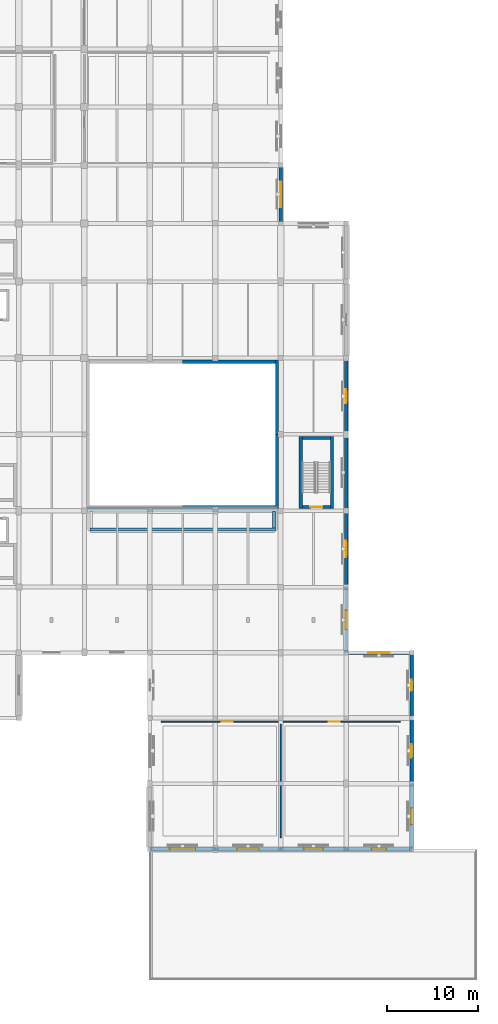
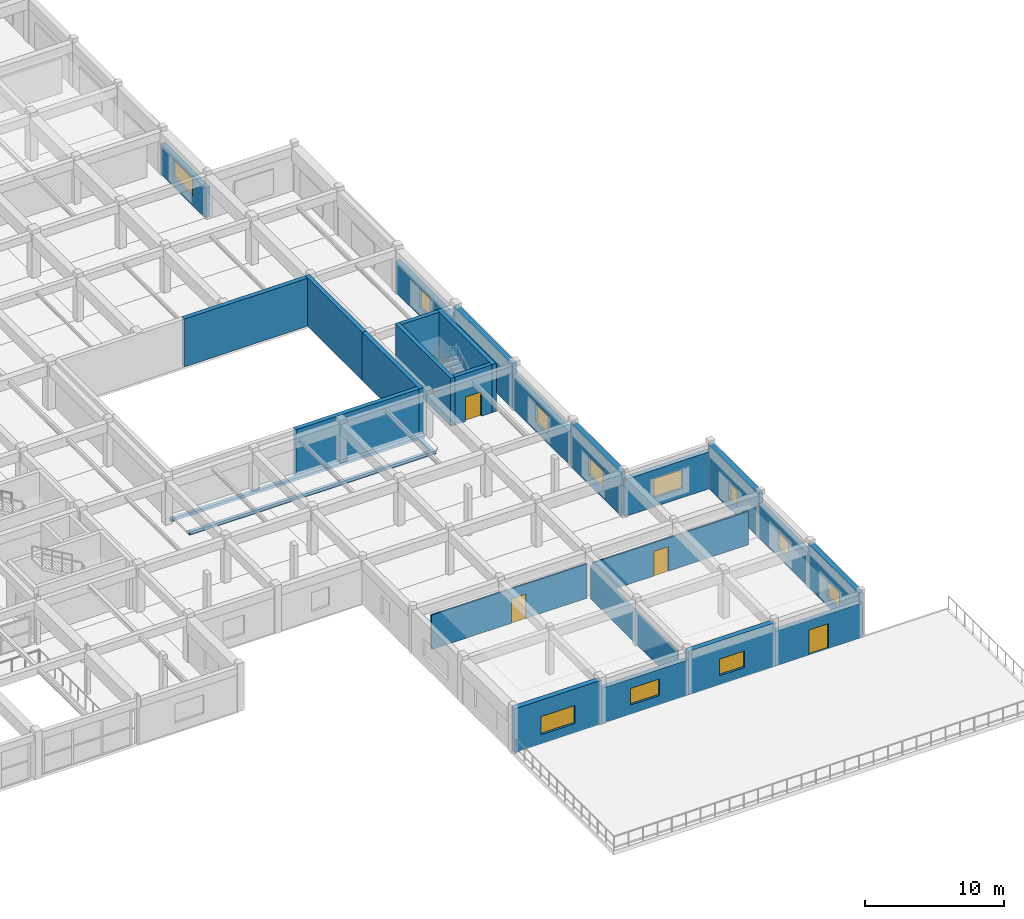
# One storey, part 53 of 71: 27 walls, 11 windows, 4 doors, 15 openings.
"""IFC4 building model written with IfcOpenShell, lengths in metres."""

from ifc_helpers import new_model, si_unit, direction, frame, frame_2d, origin, place, context, subcontext, project, spatial, rectangle, extrude, material, layer, layer_set, type_object, element, fill, save


model = new_model("IFC4")

# Units and contexts
model_context = context("Model", 3, precision=1e-05, world=origin(), true_north=direction((0.0, 1.0)))
body_context = subcontext(model_context, "Body", "Model", "MODEL_VIEW")
ifc_project = project(units=[si_unit("LENGTHUNIT", "METRE"), si_unit("AREAUNIT", "SQUARE_METRE"), si_unit("VOLUMEUNIT", "CUBIC_METRE"), si_unit("PLANEANGLEUNIT", "RADIAN"), si_unit("MASSUNIT", "GRAM", prefix="KILO")], contexts=[model_context])

# Site, building, storey
site_placement = place(None, origin())
site = spatial("IfcSite", under=ifc_project, at=site_placement, CompositionType="ELEMENT")
building_placement = place(site_placement, origin())
building = spatial("IfcBuilding", under=site, at=building_placement, Name="Korsvaeld Concert Hall", CompositionType="ELEMENT")
storey_placement = place(building_placement, frame((0.0, 0.0, 4.800048828125)))
storey = spatial("IfcBuildingStorey", under=building, at=storey_placement, Name="L01", CompositionType="ELEMENT", Elevation=4.800048828125)

# Wall, opening, door
ifc_material_1 = material(Name="Concrete C40/50", Category="concrete")
ifc_layer_1 = layer(ifc_material_1, 0.340087890625)
ifc_layer_set_1 = layer_set([ifc_layer_1], Name="Concrete C40/50")
wall_type_1 = type_object("IfcWallType", Name="WL-CORE-340", PredefinedType="SHEAR", material=ifc_layer_set_1)
wall_1_placement = place(storey_placement, frame((148.77001953125, 52.0, 0.0), z_axis=(0.0, 0.0, 1.0), x_axis=(1.0, 0.0, 0.0)))
wall_1 = element("IfcWall", 1, at=wall_1_placement, inside=storey, type_object=wall_type_1, Name="Core V2S shear wall L01 S", PredefinedType="SHEAR", context=body_context, shape_type="SweptSolid", body=[
    extrude(rectangle(XDim=3.10009765625, YDim=0.340087890625, at=frame_2d((1.550048828125, 0.0))), origin(), (0.0, 0.0, 1.0), 4.199951171875),
])
opening_1_placement = place(wall_1_placement, frame((0.89990234375, 0.0, 0.0)))
opening_1 = element("IfcOpeningElement", 2, at=opening_1_placement, cuts=wall_1, Name="Opening FD-01", PredefinedType="OPENING", context=body_context, shape_type="SweptSolid", body=[
    extrude(rectangle(XDim=1.300048828125, YDim=2.14990234375, at=frame_2d((0.64990234375, 1.074951171875))), frame((0.0, 0.18017578125, 0.0), z_axis=(0.0, -1.0, 0.0), x_axis=(1.0, 0.0, 0.0)), (0.0, 0.0, 1.0), 0.360107421875),
])
ifc_material_2 = material(Name="Acoustic steel and oak fire door", Category="steel")
door_type_1 = type_object("IfcDoorType", Name="DR-FD-STAIR-130x215", OperationType="NOTDEFINED", PredefinedType="DOOR", material=ifc_material_2)
door_1_placement = place(opening_1_placement, origin())
door_1 = element("IfcDoor", 3, at=door_1_placement, inside=storey, type_object=door_type_1, Name="Escape stair ST-F4 fire door L01", OperationType="SINGLE_SWING_LEFT", OverallHeight=2.14990234375, OverallWidth=1.300048828125, PredefinedType="DOOR", context=body_context, shape_type="SweptSolid", body=[
    extrude(rectangle(XDim=1.300048828125, YDim=2.14990234375, at=frame_2d((0.64990234375, 1.074951171875))), frame((0.0, 0.02490234375, 0.0), z_axis=(0.0, -1.0, 0.0), x_axis=(1.0, 0.0, 0.0)), (0.0, 0.0, 1.0), 0.050048828125),
])
fill(opening_1, door_1)

# Walls
wall_2_placement = place(storey_placement, frame((152.0400390625, 51.830078125, 0.0), z_axis=(0.0, 0.0, 1.0), x_axis=(0.0, 1.0, 0.0)))
element("IfcWall", 4, at=wall_2_placement, inside=storey, type_object=wall_type_1, Name="Core V2S shear wall L01 E", PredefinedType="SHEAR", context=body_context, shape_type="SweptSolid", body=[
    extrude(rectangle(XDim=7.93994140625, YDim=0.340087890625, at=frame_2d((3.969970703125, 0.0))), origin(), (0.0, 0.0, 1.0), 4.199951171875),
])
wall_3_placement = place(storey_placement, frame((151.8701171875, 59.60009765625, 0.0), z_axis=(0.0, 0.0, 1.0), x_axis=(-1.0, 0.0, 0.0)))
element("IfcWall", 5, at=wall_3_placement, inside=storey, type_object=wall_type_1, Name="Core V2S shear wall L01 N", PredefinedType="SHEAR", context=body_context, shape_type="SweptSolid", body=[
    extrude(rectangle(XDim=3.10009765625, YDim=0.340087890625, at=frame_2d((1.550048828125, 0.0))), origin(), (0.0, 0.0, 1.0), 4.199951171875),
])
wall_4_placement = place(storey_placement, frame((148.60009765625, 59.77001953125, 0.0), z_axis=(0.0, 0.0, 1.0), x_axis=(0.0, -1.0, 0.0)))
element("IfcWall", 6, at=wall_4_placement, inside=storey, type_object=wall_type_1, Name="Core V2S shear wall L01 W", PredefinedType="SHEAR", context=body_context, shape_type="SweptSolid", body=[
    extrude(rectangle(XDim=7.93994140625, YDim=0.340087890625, at=frame_2d((3.969970703125, 0.0))), origin(), (0.0, 0.0, 1.0), 4.199951171875),
])

# Wall, opening, window
ifc_material_3 = material(Name="Obernkirchener buff sandstone rainscreen on Concrete C35/45", Category="masonry")
ifc_layer_2 = layer(ifc_material_3, 0.389892578125)
ifc_layer_set_2 = layer_set([ifc_layer_2], Name="Obernkirchener buff sandstone rainscreen on Concrete C35/45")
wall_type_2 = type_object("IfcWallType", Name="WL-EXT-BUFF-390", PredefinedType="STANDARD", material=ifc_layer_set_2)
wall_5_placement = place(storey_placement, frame((146.39990234375, 89.60009765625, 0.0), z_axis=(0.0, 0.0, 1.0), x_axis=(0.0, -1.0, 0.0)))
wall_5 = element("IfcWall", 7, at=wall_5_placement, inside=storey, type_object=wall_type_2, Name="Exterior sandstone wall L01-175", PredefinedType="STANDARD", context=body_context, shape_type="SweptSolid", body=[
    extrude(rectangle(XDim=6.400146484375, YDim=0.389892578125, at=frame_2d((3.2001953125, 0.0))), origin(), (0.0, 0.0, 1.0), 2.639892578125),
])
opening_2_placement = place(wall_5_placement, frame((1.800048828125, 0.0, 0.800048828125)))
opening_2 = element("IfcOpeningElement", 8, at=opening_2_placement, cuts=wall_5, Name="Opening WN-14", PredefinedType="OPENING", context=body_context, shape_type="SweptSolid", body=[
    extrude(rectangle(XDim=2.800048828125, YDim=1.60009765625, at=frame_2d((1.39990234375, 0.800048828125))), frame((0.0, 0.205078125, 0.0), z_axis=(0.0, -1.0, 0.0), x_axis=(1.0, 0.0, 0.0)), (0.0, 0.0, 1.0), 0.409912109375),
])
ifc_material_4 = material(Name="Anodised bronze frame with acoustic triple glazing", Category="glass")
window_type_1 = type_object("IfcWindowType", Name="WIN-AC-280x160", PartitioningType="TRIPLE_PANEL_VERTICAL", PredefinedType="WINDOW", material=ifc_material_4)
window_1_placement = place(opening_2_placement, origin())
window_1 = element("IfcWindow", 9, at=window_1_placement, inside=storey, type_object=window_type_1, Name="Acoustic triple-glazed window L01-085", OverallHeight=1.60009765625, OverallWidth=2.800048828125, PartitioningType="TRIPLE_PANEL_VERTICAL", PredefinedType="WINDOW", context=body_context, shape_type="SweptSolid", body=[
    extrude(rectangle(XDim=2.800048828125, YDim=1.60009765625, at=frame_2d((1.39990234375, 0.800048828125))), frame((0.0, 0.030029296875, 0.0), z_axis=(0.0, -1.0, 0.0), x_axis=(1.0, 0.0, 0.0)), (0.0, 0.0, 1.0), 0.06005859375),
])
fill(opening_2, window_1)

wall_6_placement = place(storey_placement, frame((153.60009765625, 68.39990234375, 0.0), z_axis=(0.0, 0.0, 1.0), x_axis=(0.0, -1.0, 0.0)))
wall_6 = element("IfcWall", 10, at=wall_6_placement, inside=storey, type_object=wall_type_2, Name="Exterior sandstone wall L01-179", PredefinedType="STANDARD", context=body_context, shape_type="SweptSolid", body=[
    extrude(rectangle(XDim=8.39990234375, YDim=0.389892578125, at=frame_2d((4.199951171875, 0.0))), origin(), (0.0, 0.0, 1.0), 2.739990234375),
])
opening_3_placement = place(wall_6_placement, frame((3.449951171875, 0.0, 0.800048828125)))
opening_3 = element("IfcOpeningElement", 11, at=opening_3_placement, cuts=wall_6, Name="Opening WN-02", PredefinedType="OPENING", context=body_context, shape_type="SweptSolid", body=[
    extrude(rectangle(XDim=1.5, YDim=1.64990234375, at=frame_2d((0.75, 0.824951171875))), frame((0.0, 0.205078125, 0.0), z_axis=(0.0, -1.0, 0.0), x_axis=(1.0, 0.0, 0.0)), (0.0, 0.0, 1.0), 0.409912109375),
])
window_type_2 = type_object("IfcWindowType", Name="WIN-AC-150x165", PartitioningType="SINGLE_PANEL", PredefinedType="WINDOW", material=ifc_material_4)
window_2_placement = place(opening_3_placement, origin())
window_2 = element("IfcWindow", 12, at=window_2_placement, inside=storey, type_object=window_type_2, Name="Acoustic triple-glazed window L01-089", OverallHeight=1.64990234375, OverallWidth=1.5, PartitioningType="SINGLE_PANEL", PredefinedType="WINDOW", context=body_context, shape_type="SweptSolid", body=[
    extrude(rectangle(XDim=1.5, YDim=1.64990234375, at=frame_2d((0.75, 0.824951171875))), frame((0.0, 0.030029296875, 0.0), z_axis=(0.0, -1.0, 0.0), x_axis=(1.0, 0.0, 0.0)), (0.0, 0.0, 1.0), 0.06005859375),
])
fill(opening_3, window_2)

wall_7_placement = place(storey_placement, frame((153.60009765625, 51.60009765625, 0.0), z_axis=(0.0, 0.0, 1.0), x_axis=(0.0, -1.0, 0.0)))
wall_7 = element("IfcWall", 13, at=wall_7_placement, inside=storey, type_object=wall_type_2, Name="Exterior sandstone wall L01-181", PredefinedType="STANDARD", context=body_context, shape_type="SweptSolid", body=[
    extrude(rectangle(XDim=8.400146484375, YDim=0.389892578125, at=frame_2d((4.2001953125, 0.0))), origin(), (0.0, 0.0, 1.0), 2.889892578125),
])
opening_4_placement = place(wall_7_placement, frame((3.300048828125, 0.0, 0.800048828125)))
opening_4 = element("IfcOpeningElement", 14, at=opening_4_placement, cuts=wall_7, Name="Opening WN-03", PredefinedType="OPENING", context=body_context, shape_type="SweptSolid", body=[
    extrude(rectangle(XDim=1.800048828125, YDim=1.64990234375, at=frame_2d((0.89990234375, 0.824951171875))), frame((0.0, 0.205078125, 0.0), z_axis=(0.0, -1.0, 0.0), x_axis=(1.0, 0.0, 0.0)), (0.0, 0.0, 1.0), 0.409912109375),
])
window_type_3 = type_object("IfcWindowType", Name="WIN-AC-180x165", PartitioningType="SINGLE_PANEL", PredefinedType="WINDOW", material=ifc_material_4)
window_3_placement = place(opening_4_placement, origin())
window_3 = element("IfcWindow", 15, at=window_3_placement, inside=storey, type_object=window_type_3, Name="Acoustic triple-glazed window L01-090", OverallHeight=1.64990234375, OverallWidth=1.800048828125, PartitioningType="SINGLE_PANEL", PredefinedType="WINDOW", context=body_context, shape_type="SweptSolid", body=[
    extrude(rectangle(XDim=1.800048828125, YDim=1.64990234375, at=frame_2d((0.89990234375, 0.824951171875))), frame((0.0, 0.030029296875, 0.0), z_axis=(0.0, -1.0, 0.0), x_axis=(1.0, 0.0, 0.0)), (0.0, 0.0, 1.0), 0.06005859375),
])
fill(opening_4, window_3)

wall_8_placement = place(storey_placement, frame((153.60009765625, 36.0, 0.0), z_axis=(0.0, 0.0, 1.0), x_axis=(1.0, 0.0, 0.0)))
wall_8 = element("IfcWall", 16, at=wall_8_placement, inside=storey, type_object=wall_type_2, Name="Exterior sandstone wall L01-183", PredefinedType="STANDARD", context=body_context, shape_type="SweptSolid", body=[
    extrude(rectangle(XDim=7.199951171875, YDim=0.389892578125, at=frame_2d((3.60009765625, 0.0))), origin(), (0.0, 0.0, 1.0), 3.239990234375),
])
opening_5_placement = place(wall_8_placement, frame((2.39990234375, 0.0, 0.800048828125)))
opening_5 = element("IfcOpeningElement", 17, at=opening_5_placement, cuts=wall_8, Name="Opening WN-05", PredefinedType="OPENING", context=body_context, shape_type="SweptSolid", body=[
    extrude(rectangle(XDim=2.39990234375, YDim=1.64990234375, at=frame_2d((1.199951171875, 0.824951171875))), frame((0.0, 0.205078125, 0.0), z_axis=(0.0, -1.0, 0.0), x_axis=(1.0, 0.0, 0.0)), (0.0, 0.0, 1.0), 0.409912109375),
])
window_type_4 = type_object("IfcWindowType", Name="WIN-AC-240x165", PartitioningType="TRIPLE_PANEL_VERTICAL", PredefinedType="WINDOW", material=ifc_material_4)
window_4_placement = place(opening_5_placement, origin())
window_4 = element("IfcWindow", 18, at=window_4_placement, inside=storey, type_object=window_type_4, Name="Acoustic triple-glazed window L01-092", OverallHeight=1.64990234375, OverallWidth=2.39990234375, PartitioningType="TRIPLE_PANEL_VERTICAL", PredefinedType="WINDOW", context=body_context, shape_type="SweptSolid", body=[
    extrude(rectangle(XDim=2.39990234375, YDim=1.64990234375, at=frame_2d((1.199951171875, 0.824951171875))), frame((0.0, 0.030029296875, 0.0), z_axis=(0.0, -1.0, 0.0), x_axis=(1.0, 0.0, 0.0)), (0.0, 0.0, 1.0), 0.06005859375),
])
fill(opening_5, window_4)

wall_9_placement = place(storey_placement, frame((160.800048828125, 28.800048828125, 0.0), z_axis=(0.0, 0.0, 1.0), x_axis=(0.0, -1.0, 0.0)))
wall_9 = element("IfcWall", 19, at=wall_9_placement, inside=storey, type_object=wall_type_2, Name="Exterior sandstone wall L01-185", PredefinedType="STANDARD", context=body_context, shape_type="SweptSolid", body=[
    extrude(rectangle(XDim=7.199951171875, YDim=0.389892578125, at=frame_2d((3.60009765625, 0.0))), origin(), (0.0, 0.0, 1.0), 2.93994140625),
])
opening_6_placement = place(wall_9_placement, frame((2.85009765625, 0.0, 0.800048828125)))
opening_6 = element("IfcOpeningElement", 20, at=opening_6_placement, cuts=wall_9, Name="Opening WN-07", PredefinedType="OPENING", context=body_context, shape_type="SweptSolid", body=[
    extrude(rectangle(XDim=1.5, YDim=1.449951171875, at=frame_2d((0.75, 0.72509765625))), frame((0.0, 0.205078125, 0.0), z_axis=(0.0, -1.0, 0.0), x_axis=(1.0, 0.0, 0.0)), (0.0, 0.0, 1.0), 0.409912109375),
])
window_type_5 = type_object("IfcWindowType", Name="WIN-AC-150x145", PartitioningType="SINGLE_PANEL", PredefinedType="WINDOW", material=ifc_material_4)
window_5_placement = place(opening_6_placement, origin())
window_5 = element("IfcWindow", 21, at=window_5_placement, inside=storey, type_object=window_type_5, Name="Acoustic triple-glazed window L01-094", OverallHeight=1.449951171875, OverallWidth=1.5, PartitioningType="SINGLE_PANEL", PredefinedType="WINDOW", context=body_context, shape_type="SweptSolid", body=[
    extrude(rectangle(XDim=1.5, YDim=1.449951171875, at=frame_2d((0.75, 0.72509765625))), frame((0.0, 0.030029296875, 0.0), z_axis=(0.0, -1.0, 0.0), x_axis=(1.0, 0.0, 0.0)), (0.0, 0.0, 1.0), 0.06005859375),
])
fill(opening_6, window_5)

# Wall, opening, door
wall_10_placement = place(storey_placement, frame((160.800048828125, 14.39990234375, 0.0), z_axis=(0.0, 0.0, 1.0), x_axis=(-1.0, 0.0, 0.0)))
wall_10 = element("IfcWall", 22, at=wall_10_placement, inside=storey, type_object=wall_type_2, Name="Exterior sandstone wall L01-187", PredefinedType="STANDARD", context=body_context, shape_type="SweptSolid", body=[
    extrude(rectangle(XDim=7.199951171875, YDim=0.389892578125, at=frame_2d((3.60009765625, 0.0))), origin(), (0.0, 0.0, 1.0), 3.0400390625),
])
opening_7_placement = place(wall_10_placement, frame((2.800048828125, 0.0, 0.0)))
opening_7 = element("IfcOpeningElement", 23, at=opening_7_placement, cuts=wall_10, Name="Opening TD-02", PredefinedType="OPENING", context=body_context, shape_type="SweptSolid", body=[
    extrude(rectangle(XDim=1.60009765625, YDim=2.199951171875, at=frame_2d((0.800048828125, 1.10009765625))), frame((0.0, 0.205078125, 0.0), z_axis=(0.0, -1.0, 0.0), x_axis=(1.0, 0.0, 0.0)), (0.0, 0.0, 1.0), 0.409912109375),
])
ifc_material_5 = material(Name="Anodised bronze terrace door")
door_type_2 = type_object("IfcDoorType", Name="DR-TER-160x220", OperationType="DOUBLE_DOOR_SINGLE_SWING", PredefinedType="DOOR", material=ifc_material_5)
door_2_placement = place(opening_7_placement, frame((1.60009765625, 0.0, 0.0), z_axis=(0.0, 0.0, 1.0), x_axis=(-1.0, 0.0, 0.0)))
door_2 = element("IfcDoor", 24, at=door_2_placement, inside=storey, type_object=door_type_2, Name="Roof-garden terrace access door TER_L01_SE", OperationType="DOUBLE_DOOR_SINGLE_SWING", OverallHeight=2.199951171875, OverallWidth=1.60009765625, PredefinedType="DOOR", context=body_context, shape_type="SweptSolid", body=[
    extrude(rectangle(XDim=1.60009765625, YDim=2.199951171875, at=frame_2d((0.800048828125, 1.10009765625))), frame((0.0, 0.02490234375, 0.0), z_axis=(0.0, -1.0, 0.0), x_axis=(1.0, 0.0, 0.0)), (0.0, 0.0, 1.0), 0.050048828125),
])
fill(opening_7, door_2)

# Wall, opening, window
wall_11_placement = place(storey_placement, frame((146.39990234375, 14.39990234375, 0.0), z_axis=(0.0, 0.0, 1.0), x_axis=(-1.0, 0.0, 0.0)))
wall_11 = element("IfcWall", 25, at=wall_11_placement, inside=storey, type_object=wall_type_2, Name="Exterior sandstone wall L01-189", PredefinedType="STANDARD", context=body_context, shape_type="SweptSolid", body=[
    extrude(rectangle(XDim=7.199951171875, YDim=0.389892578125, at=frame_2d((3.60009765625, 0.0))), origin(), (0.0, 0.0, 1.0), 3.08984375),
])
opening_8_placement = place(wall_11_placement, frame((2.39990234375, 0.0, 0.800048828125)))
opening_8 = element("IfcOpeningElement", 26, at=opening_8_placement, cuts=wall_11, Name="Opening WN-10", PredefinedType="OPENING", context=body_context, shape_type="SweptSolid", body=[
    extrude(rectangle(XDim=2.39990234375, YDim=1.449951171875, at=frame_2d((1.199951171875, 0.72509765625))), frame((0.0, 0.205078125, 0.0), z_axis=(0.0, -1.0, 0.0), x_axis=(1.0, 0.0, 0.0)), (0.0, 0.0, 1.0), 0.409912109375),
])
window_type_6 = type_object("IfcWindowType", Name="WIN-AC-240x145", PartitioningType="TRIPLE_PANEL_VERTICAL", PredefinedType="WINDOW", material=ifc_material_4)
window_6_placement = place(opening_8_placement, origin())
window_6 = element("IfcWindow", 27, at=window_6_placement, inside=storey, type_object=window_type_6, Name="Acoustic triple-glazed window L01-097", OverallHeight=1.449951171875, OverallWidth=2.39990234375, PartitioningType="TRIPLE_PANEL_VERTICAL", PredefinedType="WINDOW", context=body_context, shape_type="SweptSolid", body=[
    extrude(rectangle(XDim=2.39990234375, YDim=1.449951171875, at=frame_2d((1.199951171875, 0.72509765625))), frame((0.0, 0.030029296875, 0.0), z_axis=(0.0, -1.0, 0.0), x_axis=(1.0, 0.0, 0.0)), (0.0, 0.0, 1.0), 0.06005859375),
])
fill(opening_8, window_6)

# Wall
ifc_material_6 = material(Name="Bornholm Nexo rose-red sandstone rainscreen on Concrete C35/45", Category="masonry")
ifc_layer_3 = layer(ifc_material_6, 0.419921875)
ifc_layer_set_3 = layer_set([ifc_layer_3], Name="Bornholm Nexo rose-red sandstone rainscreen on Concrete C35/45")
wall_type_3 = type_object("IfcWallType", Name="WL-EXT-NEXO-420", PredefinedType="STANDARD", material=ifc_layer_set_3)
wall_12_placement = place(storey_placement, frame((153.60009765625, 60.0, 0.0), z_axis=(0.0, 0.0, 1.0), x_axis=(0.0, -1.0, 0.0)))
element("IfcWall", 28, at=wall_12_placement, inside=storey, type_object=wall_type_3, Name="Exterior sandstone wall L01-180", PredefinedType="STANDARD", context=body_context, shape_type="SweptSolid", body=[
    extrude(rectangle(XDim=8.39990234375, YDim=0.419921875, at=frame_2d((4.199951171875, 0.0))), origin(), (0.0, 0.0, 1.0), 3.83984375),
])

# Wall, opening, window
wall_13_placement = place(storey_placement, frame((153.60009765625, 43.199951171875, 0.0), z_axis=(0.0, 0.0, 1.0), x_axis=(0.0, -1.0, 0.0)))
wall_13 = element("IfcWall", 29, at=wall_13_placement, inside=storey, type_object=wall_type_3, Name="Exterior sandstone wall L01-182", PredefinedType="STANDARD", context=body_context, shape_type="SweptSolid", body=[
    extrude(rectangle(XDim=7.199951171875, YDim=0.419921875, at=frame_2d((3.60009765625, 0.0))), origin(), (0.0, 0.0, 1.0), 3.83984375),
])
opening_9_placement = place(wall_13_placement, frame((2.550048828125, 0.0, 0.800048828125)))
opening_9 = element("IfcOpeningElement", 30, at=opening_9_placement, cuts=wall_13, Name="Opening WN-04", PredefinedType="OPENING", context=body_context, shape_type="SweptSolid", body=[
    extrude(rectangle(XDim=2.10009765625, YDim=1.64990234375, at=frame_2d((1.050048828125, 0.824951171875))), frame((0.0, 0.219970703125, 0.0), z_axis=(0.0, -1.0, 0.0), x_axis=(1.0, 0.0, 0.0)), (0.0, 0.0, 1.0), 0.43994140625),
])
window_type_7 = type_object("IfcWindowType", Name="WIN-AC-210x165", PartitioningType="SINGLE_PANEL", PredefinedType="WINDOW", material=ifc_material_4)
window_7_placement = place(opening_9_placement, origin())
window_7 = element("IfcWindow", 31, at=window_7_placement, inside=storey, type_object=window_type_7, Name="Acoustic triple-glazed window L01-091", OverallHeight=1.64990234375, OverallWidth=2.10009765625, PartitioningType="SINGLE_PANEL", PredefinedType="WINDOW", context=body_context, shape_type="SweptSolid", body=[
    extrude(rectangle(XDim=2.10009765625, YDim=1.64990234375, at=frame_2d((1.050048828125, 0.824951171875))), frame((0.0, 0.030029296875, 0.0), z_axis=(0.0, -1.0, 0.0), x_axis=(1.0, 0.0, 0.0)), (0.0, 0.0, 1.0), 0.06005859375),
])
fill(opening_9, window_7)

wall_14_placement = place(storey_placement, frame((160.800048828125, 36.0, 0.0), z_axis=(0.0, 0.0, 1.0), x_axis=(0.0, -1.0, 0.0)))
wall_14 = element("IfcWall", 32, at=wall_14_placement, inside=storey, type_object=wall_type_3, Name="Exterior sandstone wall L01-184", PredefinedType="STANDARD", context=body_context, shape_type="SweptSolid", body=[
    extrude(rectangle(XDim=7.199951171875, YDim=0.419921875, at=frame_2d((3.60009765625, 0.0))), origin(), (0.0, 0.0, 1.0), 3.83984375),
])
opening_10_placement = place(wall_14_placement, frame((3.0, 0.0, 0.800048828125)))
opening_10 = element("IfcOpeningElement", 33, at=opening_10_placement, cuts=wall_14, Name="Opening WN-06", PredefinedType="OPENING", context=body_context, shape_type="SweptSolid", body=[
    extrude(rectangle(XDim=1.199951171875, YDim=1.449951171875, at=frame_2d((0.60009765625, 0.72509765625))), frame((0.0, 0.219970703125, 0.0), z_axis=(0.0, -1.0, 0.0), x_axis=(1.0, 0.0, 0.0)), (0.0, 0.0, 1.0), 0.43994140625),
])
window_type_8 = type_object("IfcWindowType", Name="WIN-AC-120x145", PartitioningType="SINGLE_PANEL", PredefinedType="WINDOW", material=ifc_material_4)
window_8_placement = place(opening_10_placement, origin())
window_8 = element("IfcWindow", 34, at=window_8_placement, inside=storey, type_object=window_type_8, Name="Acoustic triple-glazed window L01-093", OverallHeight=1.449951171875, OverallWidth=1.199951171875, PartitioningType="SINGLE_PANEL", PredefinedType="WINDOW", context=body_context, shape_type="SweptSolid", body=[
    extrude(rectangle(XDim=1.199951171875, YDim=1.449951171875, at=frame_2d((0.60009765625, 0.72509765625))), frame((0.0, 0.030029296875, 0.0), z_axis=(0.0, -1.0, 0.0), x_axis=(1.0, 0.0, 0.0)), (0.0, 0.0, 1.0), 0.06005859375),
])
fill(opening_10, window_8)

wall_15_placement = place(storey_placement, frame((160.800048828125, 21.60009765625, 0.0), z_axis=(0.0, 0.0, 1.0), x_axis=(0.0, -1.0, 0.0)))
wall_15 = element("IfcWall", 35, at=wall_15_placement, inside=storey, type_object=wall_type_3, Name="Exterior sandstone wall L01-186", PredefinedType="STANDARD", context=body_context, shape_type="SweptSolid", body=[
    extrude(rectangle(XDim=7.2001953125, YDim=0.419921875, at=frame_2d((3.60009765625, 0.0))), origin(), (0.0, 0.0, 1.0), 3.83984375),
])
opening_11_placement = place(wall_15_placement, frame((2.699951171875, 0.0, 0.800048828125)))
opening_11 = element("IfcOpeningElement", 36, at=opening_11_placement, cuts=wall_15, Name="Opening WN-08", PredefinedType="OPENING", context=body_context, shape_type="SweptSolid", body=[
    extrude(rectangle(XDim=1.800048828125, YDim=1.449951171875, at=frame_2d((0.89990234375, 0.72509765625))), frame((0.0, 0.219970703125, 0.0), z_axis=(0.0, -1.0, 0.0), x_axis=(1.0, 0.0, 0.0)), (0.0, 0.0, 1.0), 0.43994140625),
])
window_type_9 = type_object("IfcWindowType", Name="WIN-AC-180x145", PartitioningType="SINGLE_PANEL", PredefinedType="WINDOW", material=ifc_material_4)
window_9_placement = place(opening_11_placement, origin())
window_9 = element("IfcWindow", 37, at=window_9_placement, inside=storey, type_object=window_type_9, Name="Acoustic triple-glazed window L01-095", OverallHeight=1.449951171875, OverallWidth=1.800048828125, PartitioningType="SINGLE_PANEL", PredefinedType="WINDOW", context=body_context, shape_type="SweptSolid", body=[
    extrude(rectangle(XDim=1.800048828125, YDim=1.449951171875, at=frame_2d((0.89990234375, 0.72509765625))), frame((0.0, 0.030029296875, 0.0), z_axis=(0.0, -1.0, 0.0), x_axis=(1.0, 0.0, 0.0)), (0.0, 0.0, 1.0), 0.06005859375),
])
fill(opening_11, window_9)

wall_16_placement = place(storey_placement, frame((153.60009765625, 14.39990234375, 0.0), z_axis=(0.0, 0.0, 1.0), x_axis=(-1.0, 0.0, 0.0)))
wall_16 = element("IfcWall", 38, at=wall_16_placement, inside=storey, type_object=wall_type_3, Name="Exterior sandstone wall L01-188", PredefinedType="STANDARD", context=body_context, shape_type="SweptSolid", body=[
    extrude(rectangle(XDim=7.2001953125, YDim=0.419921875, at=frame_2d((3.60009765625, 0.0))), origin(), (0.0, 0.0, 1.0), 3.83984375),
])
opening_12_placement = place(wall_16_placement, frame((2.550048828125, 0.0, 0.800048828125)))
opening_12 = element("IfcOpeningElement", 39, at=opening_12_placement, cuts=wall_16, Name="Opening WN-09", PredefinedType="OPENING", context=body_context, shape_type="SweptSolid", body=[
    extrude(rectangle(XDim=2.10009765625, YDim=1.449951171875, at=frame_2d((1.050048828125, 0.72509765625))), frame((0.0, 0.219970703125, 0.0), z_axis=(0.0, -1.0, 0.0), x_axis=(1.0, 0.0, 0.0)), (0.0, 0.0, 1.0), 0.43994140625),
])
window_type_10 = type_object("IfcWindowType", Name="WIN-AC-210x145", PartitioningType="SINGLE_PANEL", PredefinedType="WINDOW", material=ifc_material_4)
window_10_placement = place(opening_12_placement, origin())
window_10 = element("IfcWindow", 40, at=window_10_placement, inside=storey, type_object=window_type_10, Name="Acoustic triple-glazed window L01-096", OverallHeight=1.449951171875, OverallWidth=2.10009765625, PartitioningType="SINGLE_PANEL", PredefinedType="WINDOW", context=body_context, shape_type="SweptSolid", body=[
    extrude(rectangle(XDim=2.10009765625, YDim=1.449951171875, at=frame_2d((1.050048828125, 0.72509765625))), frame((0.0, 0.030029296875, 0.0), z_axis=(0.0, -1.0, 0.0), x_axis=(1.0, 0.0, 0.0)), (0.0, 0.0, 1.0), 0.06005859375),
])
fill(opening_12, window_10)

wall_17_placement = place(storey_placement, frame((139.199951171875, 14.39990234375, 0.0), z_axis=(0.0, 0.0, 1.0), x_axis=(-1.0, 0.0, 0.0)))
wall_17 = element("IfcWall", 41, at=wall_17_placement, inside=storey, type_object=wall_type_3, Name="Exterior sandstone wall L01-190", PredefinedType="STANDARD", context=body_context, shape_type="SweptSolid", body=[
    extrude(rectangle(XDim=7.199951171875, YDim=0.419921875, at=frame_2d((3.60009765625, 0.0))), origin(), (0.0, 0.0, 1.0), 3.83984375),
])
opening_13_placement = place(wall_17_placement, frame((2.199951171875, 0.0, 0.800048828125)))
opening_13 = element("IfcOpeningElement", 42, at=opening_13_placement, cuts=wall_17, Name="Opening WN-14", PredefinedType="OPENING", context=body_context, shape_type="SweptSolid", body=[
    extrude(rectangle(XDim=2.800048828125, YDim=1.60009765625, at=frame_2d((1.39990234375, 0.800048828125))), frame((0.0, 0.219970703125, 0.0), z_axis=(0.0, -1.0, 0.0), x_axis=(1.0, 0.0, 0.0)), (0.0, 0.0, 1.0), 0.43994140625),
])
window_11_placement = place(opening_13_placement, origin())
window_11 = element("IfcWindow", 43, at=window_11_placement, inside=storey, type_object=window_type_1, Name="Acoustic triple-glazed window L01-098", OverallHeight=1.60009765625, OverallWidth=2.800048828125, PartitioningType="TRIPLE_PANEL_VERTICAL", PredefinedType="WINDOW", context=body_context, shape_type="SweptSolid", body=[
    extrude(rectangle(XDim=2.800048828125, YDim=1.60009765625, at=frame_2d((1.39990234375, 0.800048828125))), frame((0.0, 0.030029296875, 0.0), z_axis=(0.0, -1.0, 0.0), x_axis=(1.0, 0.0, 0.0)), (0.0, 0.0, 1.0), 0.06005859375),
])
fill(opening_13, window_11)

# Walls
ifc_material_7 = material(Name="Bornholm Nexo crimson sandstone on Concrete C40/50", Category="masonry")
ifc_layer_4 = layer(ifc_material_7, 0.360107421875)
ifc_layer_set_4 = layer_set([ifc_layer_4], Name="Bornholm Nexo crimson sandstone on Concrete C40/50")
wall_type_4 = type_object("IfcWallType", Name="WL-HALL-360", PredefinedType="SHEAR", material=ifc_layer_set_4)
wall_18_placement = place(storey_placement, frame((135.60009765625, 52.0, 0.0), z_axis=(0.0, 0.0, 1.0), x_axis=(1.0, 0.0, 0.0)))
element("IfcWall", 44, at=wall_18_placement, inside=storey, type_object=wall_type_4, Name="Acoustic hall box wall V2H L01 S.2", PredefinedType="SHEAR", context=body_context, shape_type="SweptSolid", body=[
    extrude(rectangle(XDim=10.219970703125, YDim=0.360107421875, at=frame_2d((5.10986328125, 0.0))), origin(), (0.0, 0.0, 1.0), 4.199951171875),
])
for number, where, z_axis, x_axis, name in (
    (45, (146.0, 51.820068359375, 0.0), (0.0, 0.0, 1.0), (0.0, 1.0, 0.0), "Acoustic hall box wall V2H L01 E.1"),
    (46, (146.0, 60.0, 0.0), (0.0, 0.0, 1.0), (0.0, 1.0, 0.0), "Acoustic hall box wall V2H L01 E.2"),
):
    element("IfcWall", number, at=place(storey_placement, frame(where, z_axis=z_axis, x_axis=x_axis)), inside=storey, type_object=wall_type_4, Name=name, PredefinedType="SHEAR", context=body_context, shape_type="SweptSolid", body=[
        extrude(rectangle(XDim=8.179931640625, YDim=0.360107421875, at=frame_2d((4.08984375, 0.0))), origin(), (0.0, 0.0, 1.0), 4.199951171875),
    ])
wall_19_placement = place(storey_placement, frame((145.820068359375, 68.0, 0.0), z_axis=(0.0, 0.0, 1.0), x_axis=(-1.0, 0.0, 0.0)))
element("IfcWall", 47, at=wall_19_placement, inside=storey, type_object=wall_type_4, Name="Acoustic hall box wall V2H L01 N.1", PredefinedType="SHEAR", context=body_context, shape_type="SweptSolid", body=[
    extrude(rectangle(XDim=10.219970703125, YDim=0.360107421875, at=frame_2d((5.10986328125, 0.0))), origin(), (0.0, 0.0, 1.0), 4.199951171875),
])
ifc_material_8 = material(Name="Insulated acoustic gypsum partition")
ifc_layer_5 = layer(ifc_material_8, 0.125)
ifc_layer_set_5 = layer_set([ifc_layer_5], Name="Insulated acoustic gypsum partition")
wall_type_5 = type_object("IfcWallType", Name="WL-PART-125", PredefinedType="PARTITIONING", material=ifc_layer_set_5)
wall_20_placement = place(storey_placement, frame((146.39990234375, 15.659912109375, 0.0), z_axis=(0.0, 0.0, 1.0), x_axis=(0.0, 1.0, 0.0)))
element("IfcWall", 48, at=wall_20_placement, inside=storey, type_object=wall_type_5, Name="Interior partition L01-08 E", PredefinedType="PARTITIONING", context=body_context, shape_type="SweptSolid", body=[
    extrude(rectangle(XDim=12.47998046875, YDim=0.125, at=frame_2d((6.239990234375, 0.0))), origin(), (0.0, 0.0, 1.0), 2.96484375),
])

# Wall, opening, door
wall_21_placement = place(storey_placement, frame((146.139892578125, 28.39990234375, 0.0), z_axis=(0.0, 0.0, 1.0), x_axis=(-1.0, 0.0, 0.0)))
wall_21 = element("IfcWall", 49, at=wall_21_placement, inside=storey, type_object=wall_type_5, Name="Interior partition L01-08 N", PredefinedType="PARTITIONING", context=body_context, shape_type="SweptSolid", body=[
    extrude(rectangle(XDim=12.8798828125, YDim=0.125, at=frame_2d((6.43994140625, 0.0))), origin(), (0.0, 0.0, 1.0), 3.014892578125),
])
opening_14_placement = place(wall_21_placement, frame((5.0400390625, 0.0, 0.0)))
opening_14 = element("IfcOpeningElement", 50, at=opening_14_placement, cuts=wall_21, Name="Opening ID-01", PredefinedType="OPENING", context=body_context, shape_type="SweptSolid", body=[
    extrude(rectangle(XDim=1.199951171875, YDim=2.14990234375, at=frame_2d((0.60009765625, 1.074951171875))), frame((0.0, 0.072509765625, 0.0), z_axis=(0.0, -1.0, 0.0), x_axis=(1.0, 0.0, 0.0)), (0.0, 0.0, 1.0), 0.14501953125),
])
ifc_material_9 = material(Name="Solid European oak acoustic studio door")
door_type_3 = type_object("IfcDoorType", Name="DR-INT-REH-120x215", OperationType="NOTDEFINED", PredefinedType="DOOR", material=ifc_material_9)
door_3_placement = place(opening_14_placement, origin())
door_3 = element("IfcDoor", 51, at=door_3_placement, inside=storey, type_object=door_type_3, Name="Community Music Room East 1 door L01-08", OperationType="SINGLE_SWING_RIGHT", OverallHeight=2.14990234375, OverallWidth=1.199951171875, PredefinedType="DOOR", context=body_context, shape_type="SweptSolid", body=[
    extrude(rectangle(XDim=1.199951171875, YDim=2.14990234375, at=frame_2d((0.60009765625, 1.074951171875))), frame((0.0, 0.02490234375, 0.0), z_axis=(0.0, -1.0, 0.0), x_axis=(1.0, 0.0, 0.0)), (0.0, 0.0, 1.0), 0.050048828125),
])
fill(opening_14, door_3)

wall_22_placement = place(storey_placement, frame((159.5400390625, 28.39990234375, 0.0), z_axis=(0.0, 0.0, 1.0), x_axis=(-1.0, 0.0, 0.0)))
wall_22 = element("IfcWall", 52, at=wall_22_placement, inside=storey, type_object=wall_type_5, Name="Interior partition L01-09 N", PredefinedType="PARTITIONING", context=body_context, shape_type="SweptSolid", body=[
    extrude(rectangle(XDim=12.880126953125, YDim=0.125, at=frame_2d((6.43994140625, 0.0))), origin(), (0.0, 0.0, 1.0), 2.9150390625),
])
opening_15_placement = place(wall_22_placement, frame((6.639892578125, 0.0, 0.0)))
opening_15 = element("IfcOpeningElement", 53, at=opening_15_placement, cuts=wall_22, Name="Opening ID-01", PredefinedType="OPENING", context=body_context, shape_type="SweptSolid", body=[
    extrude(rectangle(XDim=1.199951171875, YDim=2.14990234375, at=frame_2d((0.60009765625, 1.074951171875))), frame((0.0, 0.072509765625, 0.0), z_axis=(0.0, -1.0, 0.0), x_axis=(1.0, 0.0, 0.0)), (0.0, 0.0, 1.0), 0.14501953125),
])
door_4_placement = place(opening_15_placement, origin())
door_4 = element("IfcDoor", 54, at=door_4_placement, inside=storey, type_object=door_type_3, Name="Community Music Room East 2 door L01-09", OperationType="SINGLE_SWING_LEFT", OverallHeight=2.14990234375, OverallWidth=1.199951171875, PredefinedType="DOOR", context=body_context, shape_type="SweptSolid", body=[
    extrude(rectangle(XDim=1.199951171875, YDim=2.14990234375, at=frame_2d((0.60009765625, 1.074951171875))), frame((0.0, 0.02490234375, 0.0), z_axis=(0.0, -1.0, 0.0), x_axis=(1.0, 0.0, 0.0)), (0.0, 0.0, 1.0), 0.050048828125),
])
fill(opening_15, door_4)

# Walls
ifc_layer_6 = layer(ifc_material_1, 0.300048828125)
ifc_layer_set_6 = layer_set([ifc_layer_6], Name="Concrete C40/50")
wall_type_6 = type_object("IfcWallType", Name="WL-TIER-300", PredefinedType="SHEAR", material=ifc_layer_set_6)
wall_23_placement = place(storey_placement, frame((125.39990234375, 49.550048828125, 0.0), z_axis=(0.0, 0.0, 1.0), x_axis=(1.0, 0.0, 0.0)))
element("IfcWall", 55, at=wall_23_placement, inside=storey, type_object=wall_type_6, Name="Seating tier front riser wall V2-BALC-S", PredefinedType="SHEAR", context=body_context, shape_type="SweptSolid", body=[
    extrude(rectangle(XDim=20.400146484375, YDim=0.300048828125, at=frame_2d((10.2001953125, 0.0))), origin(), (0.0, 0.0, 1.0), 0.25),
])
wall_24_placement = place(storey_placement, frame((125.10009765625, 51.64990234375, 0.0), z_axis=(0.0, 0.0, 1.0), x_axis=(1.0, 0.0, 0.0)))
element("IfcWall", 56, at=wall_24_placement, inside=storey, type_object=wall_type_6, Name="Seating tier back riser wall V2-BALC-S", PredefinedType="SHEAR", context=body_context, shape_type="SweptSolid", body=[
    extrude(rectangle(XDim=21.02490234375, YDim=0.300048828125, at=frame_2d((10.512451171875, 0.0))), origin(), (0.0, 0.0, 1.0), 0.25),
])
wall_25_placement = place(storey_placement, frame((145.64990234375, 49.699951171875, 0.0), z_axis=(0.0, 0.0, 1.0), x_axis=(0.0, 1.0, 0.0)))
element("IfcWall", 57, at=wall_25_placement, inside=storey, type_object=wall_type_6, Name="Seating tier east flank wall V2-BALC-S", PredefinedType="SHEAR", context=body_context, shape_type="SweptSolid", body=[
    extrude(rectangle(XDim=1.800048828125, YDim=0.300048828125, at=frame_2d((0.89990234375, 0.0))), origin(), (0.0, 0.0, 1.0), 0.25),
])

save(model, "model.ifc")
